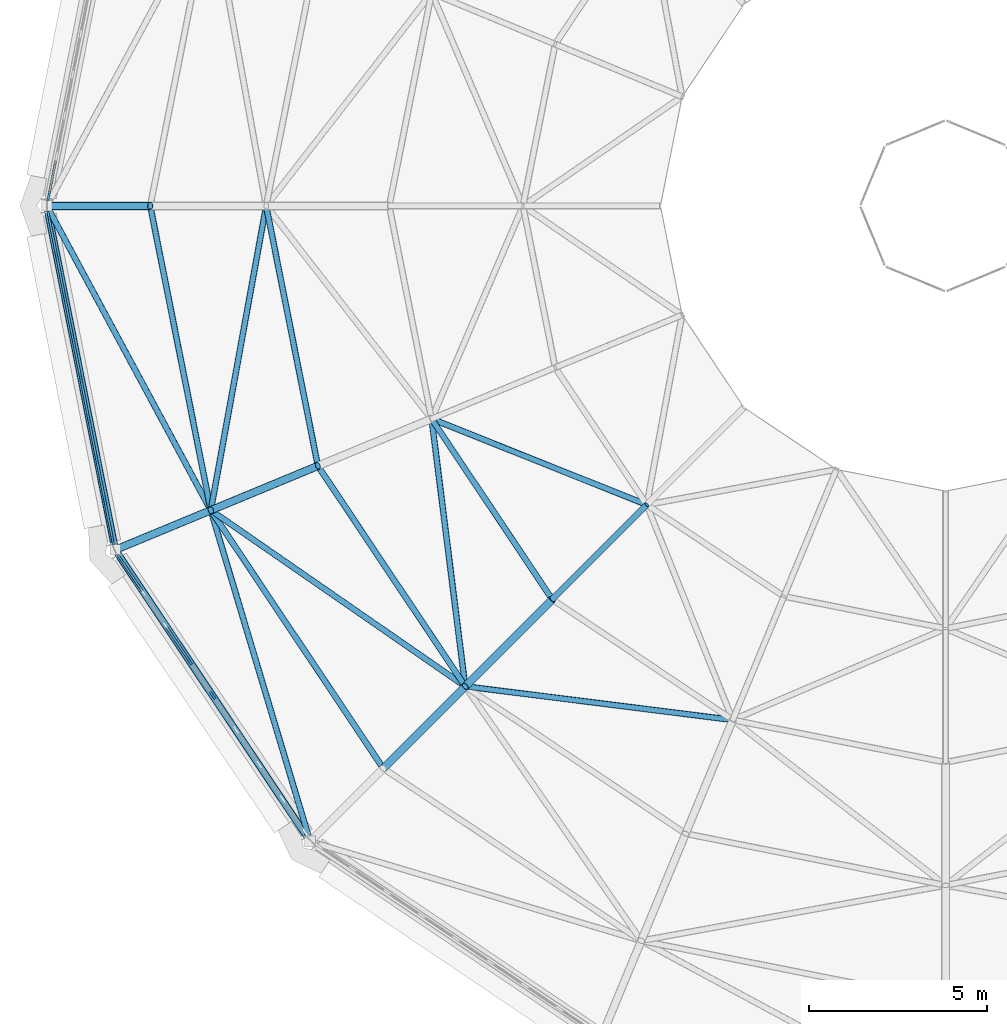
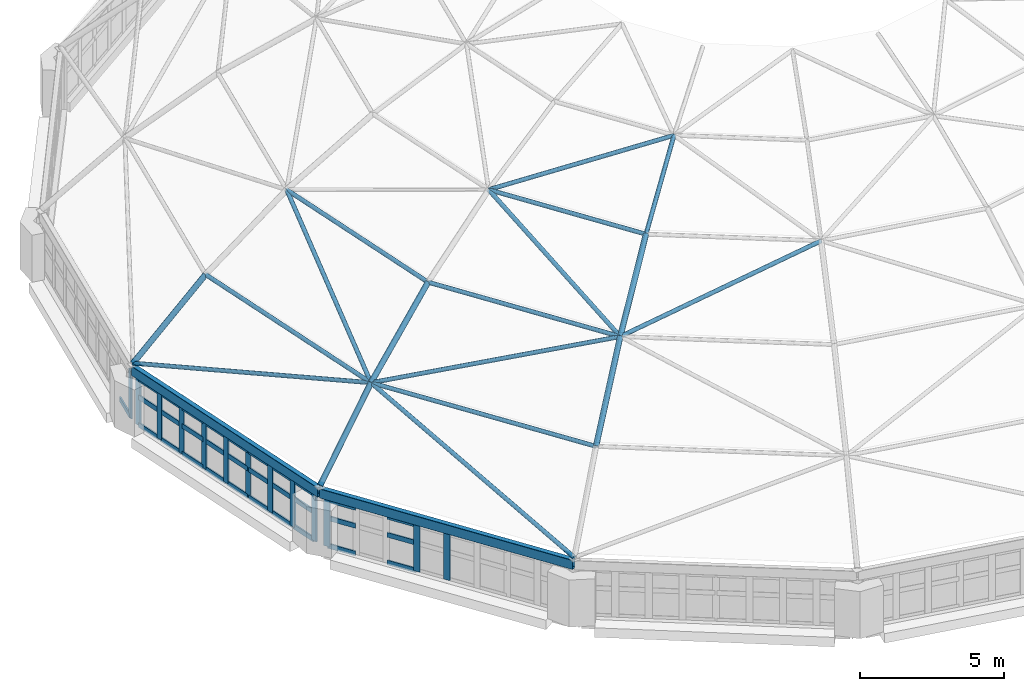
# One storey, part 16 of 68: 62 members, 2 beams, 3 elements without a shape of their own.
"""IFC4 building model written with IfcOpenShell, lengths in metres."""

from ifc_helpers import new_model, si_unit, direction, frame, origin, origin_2d, place, context, subcontext, project, spatial, rectangle, hollow_rectangle, hollow_circle, extrude, material, material_profile, profile_set, type_object, element, aggregate, save


model = new_model("IFC4")

# Units and contexts
model_context = context("Model", 3, precision=1e-05, world=origin(), true_north=direction((0.0, 1.0)))
body_context = subcontext(model_context, "Body", "Model", "MODEL_VIEW")
ifc_project = project(units=[si_unit("LENGTHUNIT", "METRE"), si_unit("AREAUNIT", "SQUARE_METRE"), si_unit("VOLUMEUNIT", "CUBIC_METRE"), si_unit("PLANEANGLEUNIT", "RADIAN"), si_unit("MASSUNIT", "GRAM", prefix="KILO")], contexts=[model_context])

# Site, building, storey
site_placement = place(None, origin())
site = spatial("IfcSite", under=ifc_project, at=site_placement, CompositionType="ELEMENT")
building_placement = place(site_placement, origin())
building = spatial("IfcBuilding", under=site, at=building_placement, Name="Kupolbacken Congress Centre", CompositionType="ELEMENT")
storey_placement = place(building_placement, frame((0.0, 0.0, 25.199951171875)))
storey = spatial("IfcBuildingStorey", under=building, at=storey_placement, Name="L07", CompositionType="ELEMENT", Elevation=25.199951171875)

# Beams
ifc_material_1 = material(Name="Steel S355", Category="steel")
ifc_material_profile_1 = material_profile(ifc_material_1, hollow_rectangle(XDim=0.199951171875, YDim=0.39990234375, WallThickness=0.012451171875, InnerFilletRadius=0.012451171875, OuterFilletRadius=0.018798828125, at=origin_2d()), Name="RHS 400 x 200 x 12.5")
ifc_profile_set_1 = profile_set([ifc_material_profile_1], Name="Steel S355")
beam_type = type_object("IfcBeamType", Name="B19 ring beam RHS 400 x 200 x 12.5", PredefinedType="BEAM", material=ifc_profile_set_1)
for number, where, z_axis, x_axis, name in (
    (1, (18.00390625, 86.38037109375, 2.590087890625), (0.195085225024, -0.980786294244, 0.0), (0.980786294244, 0.195085225024, 0.0), "DM/RB/09"),
    (2, (19.92919921875, 76.73974609375, 2.590087890625), (0.555580130477, -0.831462998948, 0.0), (0.831462998948, 0.555580130477, 0.0), "DM/RB/10"),
):
    element("IfcBeam", number, at=place(storey_placement, frame(where, z_axis=z_axis, x_axis=x_axis)), inside=storey, type_object=beam_type, Name=name, PredefinedType="BEAM", context=body_context, shape_type="SweptSolid", body=[
        extrude(hollow_rectangle(XDim=0.199951171875, YDim=0.39990234375, WallThickness=0.012451171875, InnerFilletRadius=0.012451171875, OuterFilletRadius=0.018798828125, at=origin_2d()), origin(), (0.0, 0.0, 1.0), 9.792724609375),
    ])

# Members
ifc_material_2 = material(Name="Steel S355", Category="steel")
ifc_material_profile_2 = material_profile(ifc_material_2, hollow_circle(Radius=0.109619140625, WallThickness=0.010009765625, at=origin_2d()), Name="CHS 219.1 x 10")
ifc_profile_set_2 = profile_set([ifc_material_profile_2], Name="Steel S355")
member_type_1 = type_object("IfcMemberType", Name="M15 dome rib CHS 219.1 x 10", PredefinedType="BRACE", material=ifc_profile_set_2)
for number, where, z_axis, x_axis, name in (
    (3, (18.0, 86.39990234375, 2.86279296875), (0.727199888988, 0.0, 0.686425758153), (0.0, 1.0, 0.0), "DM/RIB01-09"),
    (4, (19.918212890625, 76.75634765625, 2.86279296875), (0.671844865625, 0.278312990626, 0.686415585328), (-0.382713638863, 0.923867019992, 0.0), "DM/RIB01-10"),
):
    element("IfcMember", number, at=place(storey_placement, frame(where, z_axis=z_axis, x_axis=x_axis)), inside=storey, type_object=member_type_1, Name=name, PredefinedType="BRACE", context=body_context, shape_type="SweptSolid", body=[
        extrude(hollow_circle(Radius=0.109619140625, WallThickness=0.010009765625, at=origin_2d()), origin(), (0.0, 0.0, 1.0), 3.98779296875),
    ])
for number, where, z_axis, x_axis, name in (
    (5, (22.597412109375, 77.8662109375, 5.60009765625), (0.737757183108, 0.305564280897, 0.601950836043), (-0.382656976802, 0.92389049032, 0.0), "DM/RIB02-10"),
    (6, (27.431640625, 70.631591796875, 5.60009765625), (0.564645261565, 0.564645261565, 0.601956358207), (-0.707106781187, 0.707106781187, 0.0), "DM/RIB02-11"),
):
    element("IfcMember", number, at=place(storey_placement, frame(where, z_axis=z_axis, x_axis=x_axis)), inside=storey, type_object=member_type_1, Name=name, PredefinedType="BRACE", context=body_context, shape_type="SweptSolid", body=[
        extrude(hollow_circle(Radius=0.109619140625, WallThickness=0.010009765625, at=origin_2d()), origin(), (0.0, 0.0, 1.0), 4.070068359375),
    ])
member_1_placement = place(storey_placement, frame((29.729736328125, 72.9296875, 8.050048828125), z_axis=(0.611742244633, 0.611742244633, 0.501540479187), x_axis=(-0.707106781187, 0.707106781187, 0.0)))
element("IfcMember", 7, at=member_1_placement, inside=storey, type_object=member_type_1, Name="DM/RIB03-11", PredefinedType="BRACE", context=body_context, shape_type="SweptSolid", body=[
    extrude(hollow_circle(Radius=0.109619140625, WallThickness=0.010009765625, at=origin_2d()), origin(), (0.0, 0.0, 1.0), 3.98779296875),
])
ifc_material_3 = material(Name="Steel S355", Category="steel")
ifc_material_profile_3 = material_profile(ifc_material_3, hollow_circle(Radius=0.084228515625, WallThickness=0.008056640625, at=origin_2d()), Name="CHS 168.3 x 8")
ifc_profile_set_3 = profile_set([ifc_material_profile_3], Name="Steel S355")
member_type_2 = type_object("IfcMemberType", Name="M16 dome rib CHS 168.3 x 8", PredefinedType="BRACE", material=ifc_profile_set_3)
member_2_placement = place(storey_placement, frame((32.169189453125, 75.369140625, 10.050048828125), z_axis=(0.647230131583, 0.647230131583, 0.402723619302), x_axis=(-0.707106781187, 0.707106781187, 0.0)))
element("IfcMember", 8, at=member_2_placement, inside=storey, type_object=member_type_2, Name="DM/RIB04-11", PredefinedType="BRACE", context=body_context, shape_type="SweptSolid", body=[
    extrude(hollow_circle(Radius=0.084228515625, WallThickness=0.008056640625, at=origin_2d()), origin(), (0.0, 0.0, 1.0), 4.096923828125),
])
member_3_placement = place(storey_placement, frame((18.0, 86.39990234375, 2.86279296875), z_axis=(0.456437324519, -0.847236484585, 0.271763330811), x_axis=(0.88036998718, 0.47428755589, 0.0)))
element("IfcMember", 9, at=member_3_placement, inside=storey, type_object=member_type_2, Name="DM/DIA01-09", PredefinedType="BRACE", context=body_context, shape_type="SweptSolid", body=[
    extrude(hollow_circle(Radius=0.084228515625, WallThickness=0.008056640625, at=origin_2d()), origin(), (0.0, 0.0, 1.0), 10.072265625),
])
member_4_placement = place(storey_placement, frame((22.597412109375, 77.8662109375, 5.60009765625), z_axis=(0.276336050496, -0.921839225376, -0.271755091497), x_axis=(0.957887956572, 0.287142234188, 0.0)))
element("IfcMember", 10, at=member_4_placement, inside=storey, type_object=member_type_2, Name="DM/DIA01-10", PredefinedType="BRACE", context=body_context, shape_type="SweptSolid", body=[
    extrude(hollow_circle(Radius=0.084228515625, WallThickness=0.008056640625, at=origin_2d()), origin(), (0.0, 0.0, 1.0), 10.07275390625),
])
member_5_placement = place(storey_placement, frame((24.14990234375, 86.39990234375, 8.050048828125), z_axis=(-0.172247769717, -0.946807444988, -0.271820470059), x_axis=(0.983851440404, -0.178986991747, 0.0)))
element("IfcMember", 11, at=member_5_placement, inside=storey, type_object=member_type_2, Name="DM/DIA02-09", PredefinedType="BRACE", context=body_context, shape_type="SweptSolid", body=[
    extrude(hollow_circle(Radius=0.084228515625, WallThickness=0.008056640625, at=origin_2d()), origin(), (0.0, 0.0, 1.0), 9.01318359375),
])
member_6_placement = place(storey_placement, frame((22.597412109375, 77.8662109375, 5.60009765625), z_axis=(0.791301364718, -0.547686506284, 0.271811775003), x_axis=(0.569113377616, 0.822259061013, 0.0)))
element("IfcMember", 12, at=member_6_placement, inside=storey, type_object=member_type_2, Name="DM/DIA02-10", PredefinedType="BRACE", context=body_context, shape_type="SweptSolid", body=[
    extrude(hollow_circle(Radius=0.084228515625, WallThickness=0.008056640625, at=origin_2d()), origin(), (0.0, 0.0, 1.0), 9.013427734375),
])
for number, where, z_axis, x_axis, name in (
    (13, (28.78759765625, 80.43017578125, 10.050048828125), (0.120485430694, -0.959200155943, -0.255770056555), (0.99220316794, 0.124630949322, 0.0), "DM/DIA03-10"),
    (14, (29.729736328125, 72.9296875, 8.050048828125), (0.959200155943, -0.120485430694, 0.255770056555), (0.124630949322, 0.99220316794, 0.0), "DM/DIA03-11"),
):
    element("IfcMember", number, at=place(storey_placement, frame(where, z_axis=z_axis, x_axis=x_axis)), inside=storey, type_object=member_type_2, Name=name, PredefinedType="BRACE", context=body_context, shape_type="SweptSolid", body=[
        extrude(hollow_circle(Radius=0.084228515625, WallThickness=0.008056640625, at=origin_2d()), origin(), (0.0, 0.0, 1.0), 7.819580078125),
    ])
member_7_placement = place(storey_placement, frame((28.78759765625, 80.43017578125, 10.050048828125), z_axis=(0.900106794461, -0.359467220562, 0.246152546009), x_axis=(0.370878752008, 0.928681296952, 0.0)))
element("IfcMember", 15, at=member_7_placement, inside=storey, type_object=member_type_2, Name="DM/DIA04-10", PredefinedType="BRACE", context=body_context, shape_type="SweptSolid", body=[
    extrude(hollow_circle(Radius=0.084228515625, WallThickness=0.008056640625, at=origin_2d()), origin(), (0.0, 0.0, 1.0), 6.702880859375),
])
ifc_material_4 = material(Name="Steel S355", Category="steel")
ifc_material_profile_4 = material_profile(ifc_material_4, hollow_circle(Radius=0.084228515625, WallThickness=0.008056640625, at=origin_2d()), Name="CHS 168.3 x 8")
ifc_profile_set_4 = profile_set([ifc_material_profile_4], Name="Steel S355")
member_type_3 = type_object("IfcMemberType", Name="M17 dome ring CHS 168.3 x 8", PredefinedType="BRACE", material=ifc_profile_set_4)
member_8_placement = place(storey_placement, frame((20.89990234375, 86.39990234375, 5.60009765625), z_axis=(0.195096182119, -0.980784114738, 0.0), x_axis=(0.980784114738, 0.195096182119, 0.0)))
element("IfcMember", 16, at=member_8_placement, inside=storey, type_object=member_type_3, Name="DM/RNG01-09", PredefinedType="BRACE", context=body_context, shape_type="SweptSolid", body=[
    extrude(hollow_circle(Radius=0.084228515625, WallThickness=0.008056640625, at=origin_2d()), origin(), (0.0, 0.0, 1.0), 8.700927734375),
])
member_9_placement = place(storey_placement, frame((22.597412109375, 77.8662109375, 5.60009765625), z_axis=(0.555586962208, -0.831458433973, 0.0), x_axis=(0.831458433973, 0.555586962208, 0.0)))
element("IfcMember", 17, at=member_9_placement, inside=storey, type_object=member_type_3, Name="DM/RNG01-10", PredefinedType="BRACE", context=body_context, shape_type="SweptSolid", body=[
    extrude(hollow_circle(Radius=0.084228515625, WallThickness=0.008056640625, at=origin_2d()), origin(), (0.0, 0.0, 1.0), 8.701171875),
])
for number, where, z_axis, x_axis, name in (
    (18, (24.14990234375, 86.39990234375, 8.050048828125), (0.195105384075, -0.980782284253, 0.0), (0.980782284253, 0.195105384075, 0.0), "DM/RNG02-09"),
    (19, (25.60009765625, 79.10986328125, 8.050048828125), (0.555586717766, -0.831458597311, 0.0), (0.831458597311, 0.555586717766, 0.0), "DM/RNG02-10"),
):
    element("IfcMember", number, at=place(storey_placement, frame(where, z_axis=z_axis, x_axis=x_axis)), inside=storey, type_object=member_type_3, Name=name, PredefinedType="BRACE", context=body_context, shape_type="SweptSolid", body=[
        extrude(hollow_circle(Radius=0.084228515625, WallThickness=0.008056640625, at=origin_2d()), origin(), (0.0, 0.0, 1.0), 7.432861328125),
    ])
member_10_placement = place(storey_placement, frame((28.78759765625, 80.43017578125, 10.050048828125), z_axis=(0.555560717191, -0.831475970497, 0.0), x_axis=(0.831475970497, 0.555560717191, 0.0)))
element("IfcMember", 20, at=member_10_placement, inside=storey, type_object=member_type_3, Name="DM/RNG03-10", PredefinedType="BRACE", context=body_context, shape_type="SweptSolid", body=[
    extrude(hollow_circle(Radius=0.084228515625, WallThickness=0.008056640625, at=origin_2d()), origin(), (0.0, 0.0, 1.0), 6.0869140625),
])

# Curtain wall, members
ifc_material_5 = material(Name="Aluminium mullion-transom frame with glass", Category="aluminium")
curtain_wall_type = type_object("IfcCurtainWallType", Name="CW3 curtain wall 9830x3600", PredefinedType="NOTDEFINED", material=ifc_material_5)
curtain_wall_1_placement = place(storey_placement, origin())
curtain_wall_1 = element("IfcCurtainWall", 21, at=curtain_wall_1_placement, inside=storey, type_object=curtain_wall_type, Name="E/P/drum/cw/L07/01", PredefinedType="NOTDEFINED")
ifc_material_6 = material(Name="Aluminium alloy", Category="aluminium")
ifc_material_profile_5 = material_profile(ifc_material_6, rectangle(XDim=0.06005859375, YDim=0.25, at=origin_2d()), Name="60 x 250")
ifc_profile_set_5 = profile_set([ifc_material_profile_5], Name="Aluminium alloy")
member_type_4 = type_object("IfcMemberType", Name="MU3 mullion 60x250", PredefinedType="MULLION", material=ifc_profile_set_5)
member_11_placement = place(storey_placement, frame((20.056640625, 76.517822265625, 0.400146484375), z_axis=(0.0, 0.0, 1.0), x_axis=(0.82890762338, 0.559385512775, 0.0)))
member_11 = element("IfcMember", 22, at=member_11_placement, type_object=member_type_4, Name="CW3 mullion 1", PredefinedType="MULLION", context=body_context, shape_type="SweptSolid", body=[
    extrude(rectangle(XDim=0.06005859375, YDim=0.25, at=origin_2d()), origin(), (0.0, 0.0, 1.0), 1.989990234375),
])
member_12_placement = place(storey_placement, frame((21.99755859375, 73.641845703125, 0.400146484375), z_axis=(0.0, 0.0, 1.0), x_axis=(0.82890762338, 0.559385512775, 0.0)))
member_12 = element("IfcMember", 23, at=member_12_placement, type_object=member_type_4, Name="CW3 mullion 4", PredefinedType="MULLION", context=body_context, shape_type="SweptSolid", body=[
    extrude(rectangle(XDim=0.06005859375, YDim=0.25, at=origin_2d()), origin(), (0.0, 0.0, 1.0), 1.989990234375),
])
member_13_placement = place(storey_placement, frame((22.64990234375, 72.675048828125, 0.400146484375), z_axis=(0.0, 0.0, 1.0), x_axis=(0.82890762338, 0.559385512775, 0.0)))
member_13 = element("IfcMember", 24, at=member_13_placement, type_object=member_type_4, Name="CW3 mullion 5", PredefinedType="MULLION", context=body_context, shape_type="SweptSolid", body=[
    extrude(rectangle(XDim=0.06005859375, YDim=0.25, at=origin_2d()), origin(), (0.0, 0.0, 1.0), 1.989990234375),
])

# Curtain wall, member
curtain_wall_2_placement = place(storey_placement, origin())
curtain_wall_2 = element("IfcCurtainWall", 25, at=curtain_wall_2_placement, inside=storey, type_object=curtain_wall_type, Name="E/P/drum/cw/L07/15", PredefinedType="NOTDEFINED")
member_14_placement = place(storey_placement, frame((18.05419921875, 86.6748046875, 0.400146484375), z_axis=(0.0, 0.0, 1.0), x_axis=(0.981162875481, -0.193182327812, 0.0)))
member_14 = element("IfcMember", 26, at=member_14_placement, type_object=member_type_4, Name="CW3 mullion 9", PredefinedType="MULLION", context=body_context, shape_type="SweptSolid", body=[
    extrude(rectangle(XDim=0.06005859375, YDim=0.25, at=origin_2d()), origin(), (0.0, 0.0, 1.0), 1.989990234375),
])

# Curtain wall, members
curtain_wall_3_placement = place(storey_placement, origin())
curtain_wall_3 = element("IfcCurtainWall", 27, at=curtain_wall_3_placement, inside=storey, type_object=curtain_wall_type, Name="E/P/drum/cw/L07/16", PredefinedType="NOTDEFINED")
member_15_placement = place(storey_placement, frame((18.05419921875, 86.125244140625, 0.400146484375), z_axis=(0.0, 0.0, 1.0), x_axis=(0.981162875481, 0.193182327812, 0.0)))
member_15 = element("IfcMember", 28, at=member_15_placement, type_object=member_type_4, Name="CW3 mullion 1", PredefinedType="MULLION", context=body_context, shape_type="SweptSolid", body=[
    extrude(rectangle(XDim=0.06005859375, YDim=0.25, at=origin_2d()), origin(), (0.0, 0.0, 1.0), 1.989990234375),
])
member_16_placement = place(storey_placement, frame((18.273681640625, 85.009765625, 0.400146484375), z_axis=(0.0, 0.0, 1.0), x_axis=(0.981162875481, 0.193182327812, 0.0)))
member_16 = element("IfcMember", 29, at=member_16_placement, type_object=member_type_4, Name="CW3 mullion 2", PredefinedType="MULLION", context=body_context, shape_type="SweptSolid", body=[
    extrude(rectangle(XDim=0.06005859375, YDim=0.25, at=origin_2d()), origin(), (0.0, 0.0, 1.0), 1.989990234375),
])
member_17_placement = place(storey_placement, frame((18.499267578125, 83.86474609375, 0.400146484375), z_axis=(0.0, 0.0, 1.0), x_axis=(0.981162875481, 0.193182327812, 0.0)))
member_17 = element("IfcMember", 30, at=member_17_placement, type_object=member_type_4, Name="CW3 mullion 3", PredefinedType="MULLION", context=body_context, shape_type="SweptSolid", body=[
    extrude(rectangle(XDim=0.06005859375, YDim=0.25, at=origin_2d()), origin(), (0.0, 0.0, 1.0), 1.989990234375),
])
member_18_placement = place(storey_placement, frame((18.724609375, 82.719970703125, 0.400146484375), z_axis=(0.0, 0.0, 1.0), x_axis=(0.981162875481, 0.193182327812, 0.0)))
member_18 = element("IfcMember", 31, at=member_18_placement, type_object=member_type_4, Name="CW3 mullion 4", PredefinedType="MULLION", context=body_context, shape_type="SweptSolid", body=[
    extrude(rectangle(XDim=0.06005859375, YDim=0.25, at=origin_2d()), origin(), (0.0, 0.0, 1.0), 1.989990234375),
])
member_19_placement = place(storey_placement, frame((18.949951171875, 81.574951171875, 0.400146484375), z_axis=(0.0, 0.0, 1.0), x_axis=(0.981162875481, 0.193182327812, 0.0)))
member_19 = element("IfcMember", 32, at=member_19_placement, type_object=member_type_4, Name="CW3 mullion 5", PredefinedType="MULLION", context=body_context, shape_type="SweptSolid", body=[
    extrude(rectangle(XDim=0.06005859375, YDim=0.25, at=origin_2d()), origin(), (0.0, 0.0, 1.0), 1.989990234375),
])
member_20_placement = place(storey_placement, frame((19.175537109375, 80.43017578125, 0.400146484375), z_axis=(0.0, 0.0, 1.0), x_axis=(0.981162875481, 0.193182327812, 0.0)))
member_20 = element("IfcMember", 33, at=member_20_placement, type_object=member_type_4, Name="CW3 mullion 6", PredefinedType="MULLION", context=body_context, shape_type="SweptSolid", body=[
    extrude(rectangle(XDim=0.06005859375, YDim=0.25, at=origin_2d()), origin(), (0.0, 0.0, 1.0), 1.989990234375),
])
member_21_placement = place(storey_placement, frame((19.40087890625, 79.28515625, 0.400146484375), z_axis=(0.0, 0.0, 1.0), x_axis=(0.981162875481, 0.193182327812, 0.0)))
member_21 = element("IfcMember", 34, at=member_21_placement, type_object=member_type_4, Name="CW3 mullion 7", PredefinedType="MULLION", context=body_context, shape_type="SweptSolid", body=[
    extrude(rectangle(XDim=0.06005859375, YDim=0.25, at=origin_2d()), origin(), (0.0, 0.0, 1.0), 1.989990234375),
])
member_22_placement = place(storey_placement, frame((19.626220703125, 78.14013671875, 0.400146484375), z_axis=(0.0, 0.0, 1.0), x_axis=(0.981162875481, 0.193182327812, 0.0)))
member_22 = element("IfcMember", 35, at=member_22_placement, type_object=member_type_4, Name="CW3 mullion 8", PredefinedType="MULLION", context=body_context, shape_type="SweptSolid", body=[
    extrude(rectangle(XDim=0.06005859375, YDim=0.25, at=origin_2d()), origin(), (0.0, 0.0, 1.0), 1.989990234375),
])
member_23_placement = place(storey_placement, frame((19.845947265625, 77.024658203125, 0.400146484375), z_axis=(0.0, 0.0, 1.0), x_axis=(0.981162875481, 0.193182327812, 0.0)))
member_23 = element("IfcMember", 36, at=member_23_placement, type_object=member_type_4, Name="CW3 mullion 9", PredefinedType="MULLION", context=body_context, shape_type="SweptSolid", body=[
    extrude(rectangle(XDim=0.06005859375, YDim=0.25, at=origin_2d()), origin(), (0.0, 0.0, 1.0), 1.989990234375),
])

# Member
ifc_material_7 = material(Name="Aluminium alloy", Category="aluminium")
ifc_material_profile_6 = material_profile(ifc_material_7, rectangle(XDim=0.06005859375, YDim=0.199951171875, at=origin_2d()), Name="60 x 200")
ifc_profile_set_6 = profile_set([ifc_material_profile_6], Name="Aluminium alloy")
member_type_5 = type_object("IfcMemberType", Name="TR3 transom 60x200", PredefinedType="MULLION", material=ifc_profile_set_6)
member_24_placement = place(storey_placement, frame((20.073486328125, 76.492919921875, 0.429931640625), z_axis=(0.559297554216, -0.828966975125, 0.0), x_axis=(0.828966975125, 0.559297554216, 0.0)))
member_24 = element("IfcMember", 37, at=member_24_placement, type_object=member_type_5, Name="CW3 transom 1.1", PredefinedType="MULLION", context=body_context, shape_type="SweptSolid", body=[
    extrude(rectangle(XDim=0.06005859375, YDim=0.199951171875, at=origin_2d()), origin(), (0.0, 0.0, 1.0), 1.076416015625),
])

member_25_placement = place(storey_placement, frame((20.073486328125, 76.492919921875, 1.60009765625), z_axis=(0.559297554216, -0.828966975125, 0.0), x_axis=(0.828966975125, 0.559297554216, 0.0)))
member_25 = element("IfcMember", 38, at=member_25_placement, type_object=member_type_5, Name="CW3 transom 1.2", PredefinedType="MULLION", context=body_context, shape_type="SweptSolid", body=[
    extrude(rectangle(XDim=0.06005859375, YDim=0.199951171875, at=origin_2d()), origin(), (0.0, 0.0, 1.0), 1.076416015625),
])

member_26_placement = place(storey_placement, frame((20.073486328125, 76.492919921875, 2.360107421875), z_axis=(0.559297554216, -0.828966975125, 0.0), x_axis=(0.828966975125, 0.559297554216, 0.0)))
member_26 = element("IfcMember", 39, at=member_26_placement, type_object=member_type_5, Name="CW3 transom 1.3", PredefinedType="MULLION", context=body_context, shape_type="SweptSolid", body=[
    extrude(rectangle(XDim=0.06005859375, YDim=0.199951171875, at=origin_2d()), origin(), (0.0, 0.0, 1.0), 1.076416015625),
])

member_27_placement = place(storey_placement, frame((21.36181640625, 74.583984375, 0.429931640625), z_axis=(0.559325057342, -0.828948418317, 0.0), x_axis=(0.828948418317, 0.559325057342, 0.0)))
member_27 = element("IfcMember", 40, at=member_27_placement, type_object=member_type_5, Name="CW3 transom 3.1", PredefinedType="MULLION", context=body_context, shape_type="SweptSolid", body=[
    extrude(rectangle(XDim=0.06005859375, YDim=0.199951171875, at=origin_2d()), origin(), (0.0, 0.0, 1.0), 1.1064453125),
])

member_28_placement = place(storey_placement, frame((21.36181640625, 74.583984375, 1.60009765625), z_axis=(0.559325057342, -0.828948418317, 0.0), x_axis=(0.828948418317, 0.559325057342, 0.0)))
member_28 = element("IfcMember", 41, at=member_28_placement, type_object=member_type_5, Name="CW3 transom 3.2", PredefinedType="MULLION", context=body_context, shape_type="SweptSolid", body=[
    extrude(rectangle(XDim=0.06005859375, YDim=0.199951171875, at=origin_2d()), origin(), (0.0, 0.0, 1.0), 1.1064453125),
])

member_29_placement = place(storey_placement, frame((21.36181640625, 74.583984375, 2.360107421875), z_axis=(0.559325057342, -0.828948418317, 0.0), x_axis=(0.828948418317, 0.559325057342, 0.0)))
member_29 = element("IfcMember", 42, at=member_29_placement, type_object=member_type_5, Name="CW3 transom 3.3", PredefinedType="MULLION", context=body_context, shape_type="SweptSolid", body=[
    extrude(rectangle(XDim=0.06005859375, YDim=0.199951171875, at=origin_2d()), origin(), (0.0, 0.0, 1.0), 1.1064453125),
])

aggregate(curtain_wall_1, [member_11, member_12, member_13, member_24, member_25, member_26, member_27, member_28, member_29])

member_30_placement = place(storey_placement, frame((18.267822265625, 87.7607421875, 0.429931640625), z_axis=(-0.193150665626, -0.981169108955, 0.0), x_axis=(0.981169108955, -0.193150665626, 0.0)))
member_30 = element("IfcMember", 43, at=member_30_placement, type_object=member_type_5, Name="CW3 transom 8.1", PredefinedType="MULLION", context=body_context, shape_type="SweptSolid", body=[
    extrude(rectangle(XDim=0.06005859375, YDim=0.199951171875, at=origin_2d()), origin(), (0.0, 0.0, 1.0), 1.076904296875),
])

aggregate(curtain_wall_2, [member_14, member_30])

member_31_placement = place(storey_placement, frame((18.059814453125, 86.095947265625, 0.429931640625), z_axis=(0.193150665626, -0.981169108955, 0.0), x_axis=(0.981169108955, 0.193150665626, 0.0)))
member_31 = element("IfcMember", 44, at=member_31_placement, type_object=member_type_5, Name="CW3 transom 1.1", PredefinedType="MULLION", context=body_context, shape_type="SweptSolid", body=[
    extrude(rectangle(XDim=0.06005859375, YDim=0.199951171875, at=origin_2d()), origin(), (0.0, 0.0, 1.0), 1.076904296875),
])

member_32_placement = place(storey_placement, frame((18.059814453125, 86.095947265625, 1.60009765625), z_axis=(0.193150665626, -0.981169108955, 0.0), x_axis=(0.981169108955, 0.193150665626, 0.0)))
member_32 = element("IfcMember", 45, at=member_32_placement, type_object=member_type_5, Name="CW3 transom 1.2", PredefinedType="MULLION", context=body_context, shape_type="SweptSolid", body=[
    extrude(rectangle(XDim=0.06005859375, YDim=0.199951171875, at=origin_2d()), origin(), (0.0, 0.0, 1.0), 1.076904296875),
])

member_33_placement = place(storey_placement, frame((18.059814453125, 86.095947265625, 2.360107421875), z_axis=(0.193150665626, -0.981169108955, 0.0), x_axis=(0.981169108955, 0.193150665626, 0.0)))
member_33 = element("IfcMember", 46, at=member_33_placement, type_object=member_type_5, Name="CW3 transom 1.3", PredefinedType="MULLION", context=body_context, shape_type="SweptSolid", body=[
    extrude(rectangle(XDim=0.06005859375, YDim=0.199951171875, at=origin_2d()), origin(), (0.0, 0.0, 1.0), 1.076904296875),
])

member_34_placement = place(storey_placement, frame((18.279541015625, 84.98046875, 0.429931640625), z_axis=(0.193188927968, -0.981161575945, 0.0), x_axis=(0.981161575945, 0.193188927968, 0.0)))
member_34 = element("IfcMember", 47, at=member_34_placement, type_object=member_type_5, Name="CW3 transom 2.1", PredefinedType="MULLION", context=body_context, shape_type="SweptSolid", body=[
    extrude(rectangle(XDim=0.06005859375, YDim=0.199951171875, at=origin_2d()), origin(), (0.0, 0.0, 1.0), 1.10693359375),
])

member_35_placement = place(storey_placement, frame((18.279541015625, 84.98046875, 1.60009765625), z_axis=(0.193188927968, -0.981161575945, 0.0), x_axis=(0.981161575945, 0.193188927968, 0.0)))
member_35 = element("IfcMember", 48, at=member_35_placement, type_object=member_type_5, Name="CW3 transom 2.2", PredefinedType="MULLION", context=body_context, shape_type="SweptSolid", body=[
    extrude(rectangle(XDim=0.06005859375, YDim=0.199951171875, at=origin_2d()), origin(), (0.0, 0.0, 1.0), 1.10693359375),
])

member_36_placement = place(storey_placement, frame((18.279541015625, 84.98046875, 2.360107421875), z_axis=(0.193188927968, -0.981161575945, 0.0), x_axis=(0.981161575945, 0.193188927968, 0.0)))
member_36 = element("IfcMember", 49, at=member_36_placement, type_object=member_type_5, Name="CW3 transom 2.3", PredefinedType="MULLION", context=body_context, shape_type="SweptSolid", body=[
    extrude(rectangle(XDim=0.06005859375, YDim=0.199951171875, at=origin_2d()), origin(), (0.0, 0.0, 1.0), 1.10693359375),
])

member_37_placement = place(storey_placement, frame((18.5048828125, 83.83544921875, 0.429931640625), z_axis=(0.193188927968, -0.981161575945, 0.0), x_axis=(0.981161575945, 0.193188927968, 0.0)))
member_37 = element("IfcMember", 50, at=member_37_placement, type_object=member_type_5, Name="CW3 transom 3.1", PredefinedType="MULLION", context=body_context, shape_type="SweptSolid", body=[
    extrude(rectangle(XDim=0.06005859375, YDim=0.199951171875, at=origin_2d()), origin(), (0.0, 0.0, 1.0), 1.10693359375),
])

member_38_placement = place(storey_placement, frame((18.5048828125, 83.83544921875, 1.60009765625), z_axis=(0.193188927968, -0.981161575945, 0.0), x_axis=(0.981161575945, 0.193188927968, 0.0)))
member_38 = element("IfcMember", 51, at=member_38_placement, type_object=member_type_5, Name="CW3 transom 3.2", PredefinedType="MULLION", context=body_context, shape_type="SweptSolid", body=[
    extrude(rectangle(XDim=0.06005859375, YDim=0.199951171875, at=origin_2d()), origin(), (0.0, 0.0, 1.0), 1.10693359375),
])

member_39_placement = place(storey_placement, frame((18.5048828125, 83.83544921875, 2.360107421875), z_axis=(0.193188927968, -0.981161575945, 0.0), x_axis=(0.981161575945, 0.193188927968, 0.0)))
member_39 = element("IfcMember", 52, at=member_39_placement, type_object=member_type_5, Name="CW3 transom 3.3", PredefinedType="MULLION", context=body_context, shape_type="SweptSolid", body=[
    extrude(rectangle(XDim=0.06005859375, YDim=0.199951171875, at=origin_2d()), origin(), (0.0, 0.0, 1.0), 1.10693359375),
])

member_40_placement = place(storey_placement, frame((18.73046875, 82.6904296875, 0.429931640625), z_axis=(0.193018378756, -0.981195141377, 0.0), x_axis=(0.981195141377, 0.193018378756, 0.0)))
member_40 = element("IfcMember", 53, at=member_40_placement, type_object=member_type_5, Name="CW3 transom 4.1", PredefinedType="MULLION", context=body_context, shape_type="SweptSolid", body=[
    extrude(rectangle(XDim=0.06005859375, YDim=0.199951171875, at=origin_2d()), origin(), (0.0, 0.0, 1.0), 1.106689453125),
])

member_41_placement = place(storey_placement, frame((18.73046875, 82.6904296875, 1.60009765625), z_axis=(0.193018378756, -0.981195141377, 0.0), x_axis=(0.981195141377, 0.193018378756, 0.0)))
member_41 = element("IfcMember", 54, at=member_41_placement, type_object=member_type_5, Name="CW3 transom 4.2", PredefinedType="MULLION", context=body_context, shape_type="SweptSolid", body=[
    extrude(rectangle(XDim=0.06005859375, YDim=0.199951171875, at=origin_2d()), origin(), (0.0, 0.0, 1.0), 1.106689453125),
])

member_42_placement = place(storey_placement, frame((18.73046875, 82.6904296875, 2.360107421875), z_axis=(0.193018378756, -0.981195141377, 0.0), x_axis=(0.981195141377, 0.193018378756, 0.0)))
member_42 = element("IfcMember", 55, at=member_42_placement, type_object=member_type_5, Name="CW3 transom 4.3", PredefinedType="MULLION", context=body_context, shape_type="SweptSolid", body=[
    extrude(rectangle(XDim=0.06005859375, YDim=0.199951171875, at=origin_2d()), origin(), (0.0, 0.0, 1.0), 1.106689453125),
])

member_43_placement = place(storey_placement, frame((18.955810546875, 81.545654296875, 0.429931640625), z_axis=(0.193188927968, -0.981161575945, 0.0), x_axis=(0.981161575945, 0.193188927968, 0.0)))
member_43 = element("IfcMember", 56, at=member_43_placement, type_object=member_type_5, Name="CW3 transom 5.1", PredefinedType="MULLION", context=body_context, shape_type="SweptSolid", body=[
    extrude(rectangle(XDim=0.06005859375, YDim=0.199951171875, at=origin_2d()), origin(), (0.0, 0.0, 1.0), 1.10693359375),
])

member_44_placement = place(storey_placement, frame((18.955810546875, 81.545654296875, 1.60009765625), z_axis=(0.193188927968, -0.981161575945, 0.0), x_axis=(0.981161575945, 0.193188927968, 0.0)))
member_44 = element("IfcMember", 57, at=member_44_placement, type_object=member_type_5, Name="CW3 transom 5.2", PredefinedType="MULLION", context=body_context, shape_type="SweptSolid", body=[
    extrude(rectangle(XDim=0.06005859375, YDim=0.199951171875, at=origin_2d()), origin(), (0.0, 0.0, 1.0), 1.10693359375),
])

member_45_placement = place(storey_placement, frame((18.955810546875, 81.545654296875, 2.360107421875), z_axis=(0.193188927968, -0.981161575945, 0.0), x_axis=(0.981161575945, 0.193188927968, 0.0)))
member_45 = element("IfcMember", 58, at=member_45_placement, type_object=member_type_5, Name="CW3 transom 5.3", PredefinedType="MULLION", context=body_context, shape_type="SweptSolid", body=[
    extrude(rectangle(XDim=0.06005859375, YDim=0.199951171875, at=origin_2d()), origin(), (0.0, 0.0, 1.0), 1.10693359375),
])

member_46_placement = place(storey_placement, frame((19.18115234375, 80.400634765625, 0.429931640625), z_axis=(0.193230739208, -0.981153342462, 0.0), x_axis=(0.981153342462, 0.193230739208, 0.0)))
member_46 = element("IfcMember", 59, at=member_46_placement, type_object=member_type_5, Name="CW3 transom 6.1", PredefinedType="MULLION", context=body_context, shape_type="SweptSolid", body=[
    extrude(rectangle(XDim=0.06005859375, YDim=0.199951171875, at=origin_2d()), origin(), (0.0, 0.0, 1.0), 1.106689453125),
])

member_47_placement = place(storey_placement, frame((19.18115234375, 80.400634765625, 1.60009765625), z_axis=(0.193230739208, -0.981153342462, 0.0), x_axis=(0.981153342462, 0.193230739208, 0.0)))
member_47 = element("IfcMember", 60, at=member_47_placement, type_object=member_type_5, Name="CW3 transom 6.2", PredefinedType="MULLION", context=body_context, shape_type="SweptSolid", body=[
    extrude(rectangle(XDim=0.06005859375, YDim=0.199951171875, at=origin_2d()), origin(), (0.0, 0.0, 1.0), 1.106689453125),
])

member_48_placement = place(storey_placement, frame((19.18115234375, 80.400634765625, 2.360107421875), z_axis=(0.193230739208, -0.981153342462, 0.0), x_axis=(0.981153342462, 0.193230739208, 0.0)))
member_48 = element("IfcMember", 61, at=member_48_placement, type_object=member_type_5, Name="CW3 transom 6.3", PredefinedType="MULLION", context=body_context, shape_type="SweptSolid", body=[
    extrude(rectangle(XDim=0.06005859375, YDim=0.199951171875, at=origin_2d()), origin(), (0.0, 0.0, 1.0), 1.106689453125),
])

member_49_placement = place(storey_placement, frame((19.40673828125, 79.255615234375, 0.429931640625), z_axis=(0.193018378756, -0.981195141377, 0.0), x_axis=(0.981195141377, 0.193018378756, 0.0)))
member_49 = element("IfcMember", 62, at=member_49_placement, type_object=member_type_5, Name="CW3 transom 7.1", PredefinedType="MULLION", context=body_context, shape_type="SweptSolid", body=[
    extrude(rectangle(XDim=0.06005859375, YDim=0.199951171875, at=origin_2d()), origin(), (0.0, 0.0, 1.0), 1.106689453125),
])

member_50_placement = place(storey_placement, frame((19.40673828125, 79.255615234375, 1.60009765625), z_axis=(0.193018378756, -0.981195141377, 0.0), x_axis=(0.981195141377, 0.193018378756, 0.0)))
member_50 = element("IfcMember", 63, at=member_50_placement, type_object=member_type_5, Name="CW3 transom 7.2", PredefinedType="MULLION", context=body_context, shape_type="SweptSolid", body=[
    extrude(rectangle(XDim=0.06005859375, YDim=0.199951171875, at=origin_2d()), origin(), (0.0, 0.0, 1.0), 1.106689453125),
])

member_51_placement = place(storey_placement, frame((19.40673828125, 79.255615234375, 2.360107421875), z_axis=(0.193018378756, -0.981195141377, 0.0), x_axis=(0.981195141377, 0.193018378756, 0.0)))
member_51 = element("IfcMember", 64, at=member_51_placement, type_object=member_type_5, Name="CW3 transom 7.3", PredefinedType="MULLION", context=body_context, shape_type="SweptSolid", body=[
    extrude(rectangle(XDim=0.06005859375, YDim=0.199951171875, at=origin_2d()), origin(), (0.0, 0.0, 1.0), 1.106689453125),
])

member_52_placement = place(storey_placement, frame((19.632080078125, 78.11083984375, 0.429931640625), z_axis=(0.193150665626, -0.981169108955, 0.0), x_axis=(0.981169108955, 0.193150665626, 0.0)))
member_52 = element("IfcMember", 65, at=member_52_placement, type_object=member_type_5, Name="CW3 transom 8.1", PredefinedType="MULLION", context=body_context, shape_type="SweptSolid", body=[
    extrude(rectangle(XDim=0.06005859375, YDim=0.199951171875, at=origin_2d()), origin(), (0.0, 0.0, 1.0), 1.076904296875),
])

member_53_placement = place(storey_placement, frame((19.632080078125, 78.11083984375, 1.60009765625), z_axis=(0.193150665626, -0.981169108955, 0.0), x_axis=(0.981169108955, 0.193150665626, 0.0)))
member_53 = element("IfcMember", 66, at=member_53_placement, type_object=member_type_5, Name="CW3 transom 8.2", PredefinedType="MULLION", context=body_context, shape_type="SweptSolid", body=[
    extrude(rectangle(XDim=0.06005859375, YDim=0.199951171875, at=origin_2d()), origin(), (0.0, 0.0, 1.0), 1.076904296875),
])

member_54_placement = place(storey_placement, frame((19.632080078125, 78.11083984375, 2.360107421875), z_axis=(0.193150665626, -0.981169108955, 0.0), x_axis=(0.981169108955, 0.193150665626, 0.0)))
member_54 = element("IfcMember", 67, at=member_54_placement, type_object=member_type_5, Name="CW3 transom 8.3", PredefinedType="MULLION", context=body_context, shape_type="SweptSolid", body=[
    extrude(rectangle(XDim=0.06005859375, YDim=0.199951171875, at=origin_2d()), origin(), (0.0, 0.0, 1.0), 1.076904296875),
])

aggregate(curtain_wall_3, [member_15, member_16, member_17, member_18, member_19, member_20, member_21, member_22, member_23, member_31, member_32, member_33, member_34, member_35, member_36, member_37, member_38, member_39, member_40, member_41, member_42, member_43, member_44, member_45, member_46, member_47, member_48, member_49, member_50, member_51, member_52, member_53, member_54])

save(model, "model.ifc")
